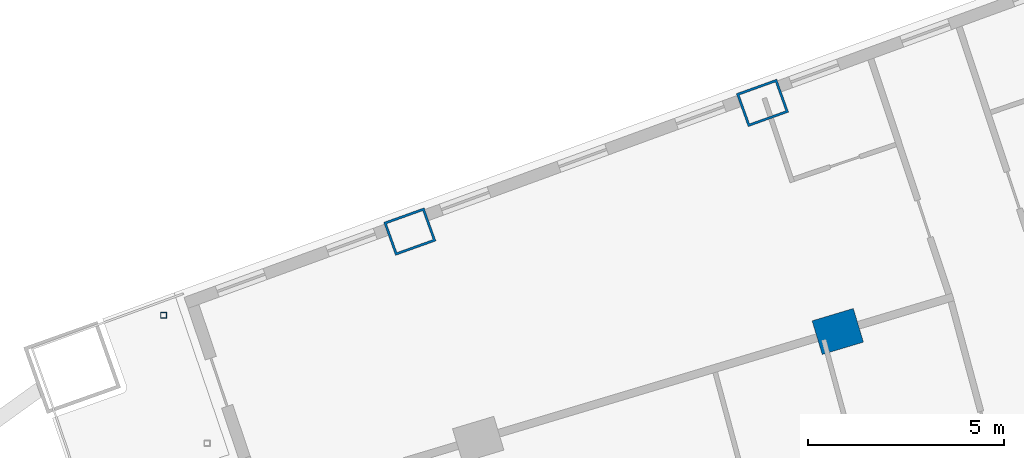
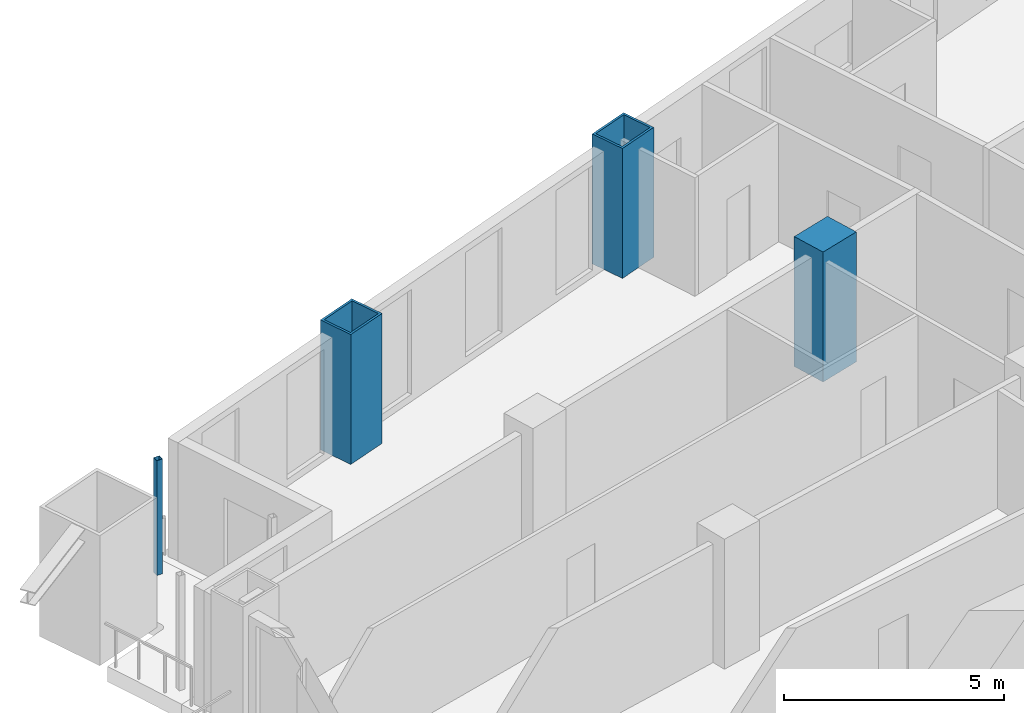
# One storey, part 9 of 25: 4 columns.
"""IFC4 building model written with IfcOpenShell, lengths in metres."""

import ifcopenshell
import ifcopenshell.guid

model = None  # the IFC model being written
_history = None  # IfcOwnerHistory: only IFC2X3 demands one
_inside = {}  # id of a spatial element -> (the spatial element, [elements in it])
_under = {}  # id of a project, library or spatial element -> (it, [spatial elements below it])
_declared = {}  # id of a project -> (the project, [libraries it declares])
_typed = {}  # id of a type object -> (the type object, [elements of that type])
_made_of = {}  # id of a material, layer set ... -> (it, [elements and type objects made of it])


def new_model(schema):
    """Start an empty IFC model of exactly this schema.

    Asked for "IFC4X3", IfcOpenShell would pick the latest addendum, in which some entities
    have other attributes; the version numbers below select the first issue.
    IFC2X3 requires an IfcOwnerHistory on every rooted entity: one is made here for all.
    """
    global model, _history
    if schema == "IFC4X3":
        model = ifcopenshell.file(schema_version=(4, 3, 0, 0))
    else:
        model = ifcopenshell.file(schema=schema)
    _inside.clear()
    _under.clear()
    _declared.clear()
    _typed.clear()
    _made_of.clear()
    _history = None
    if model.schema == "IFC2X3":
        org = make("IfcOrganization", Name="unknown")
        user = make(
            "IfcPersonAndOrganization",
            ThePerson=make("IfcPerson", FamilyName="unknown"),
            TheOrganization=org,
        )
        app = make(
            "IfcApplication",
            ApplicationDeveloper=org,
            Version="unknown",
            ApplicationFullName="unknown",
            ApplicationIdentifier="unknown",
        )
        _history = make(
            "IfcOwnerHistory",
            OwningUser=user,
            OwningApplication=app,
            ChangeAction="ADDED",
            CreationDate=0,
        )
    return model


def make(cls, **values):
    """One entity of the class cls with the attributes given. An attribute that is None is left unset."""
    return model.create_entity(
        cls, **{name: value for name, value in values.items() if value is not None}
    )


def rooted(cls, **values):
    """An entity with a GlobalId (a new one), such as an element, a storey or a relation."""
    return make(cls, GlobalId=ifcopenshell.guid.new(), OwnerHistory=_history, **values)


def si_unit(unit_type, name, prefix=None):
    """IfcSIUnit, for example si_unit("LENGTHUNIT", "METRE", prefix="MILLI")."""
    return make("IfcSIUnit", UnitType=unit_type, Prefix=prefix, Name=name)


def assignment(units):
    """IfcUnitAssignment: the units of a project."""
    return None if units is None else make("IfcUnitAssignment", Units=units)


def point(xyz):
    """IfcCartesianPoint."""
    return None if xyz is None else make("IfcCartesianPoint", Coordinates=xyz)


def direction(xyz):
    """IfcDirection."""
    return None if xyz is None else make("IfcDirection", DirectionRatios=xyz)


def frame(location, z_axis=None, x_axis=None):
    """IfcAxis2Placement3D, a coordinate frame: its origin and axes. An axis left out is left unset."""
    return make(
        "IfcAxis2Placement3D",
        Location=point(location),
        Axis=direction(z_axis),
        RefDirection=direction(x_axis),
    )


def frame_2d(location, x_axis=None):
    """IfcAxis2Placement2D, a coordinate frame in the plane: its origin and x axis."""
    return make(
        "IfcAxis2Placement2D", Location=point(location), RefDirection=direction(x_axis)
    )


def origin():
    """The frame at (0, 0, 0) with its axes left unset."""
    return frame((0.0, 0.0, 0.0))


def origin_2d():
    """The frame at (0, 0) in the plane with its x axis left unset."""
    return frame_2d((0.0, 0.0))


def place(relative_to, where):
    """IfcLocalPlacement: puts the frame where relative to a parent placement (None: the world)."""
    return make(
        "IfcLocalPlacement", PlacementRelTo=relative_to, RelativePlacement=where
    )


def context(
    kind, dimensions, precision=None, world=None, true_north=None, identifier=None
):
    """IfcGeometricRepresentationContext, for example the 3D "Model" context."""
    return make(
        "IfcGeometricRepresentationContext",
        ContextIdentifier=identifier,
        ContextType=kind,
        CoordinateSpaceDimension=dimensions,
        Precision=precision,
        WorldCoordinateSystem=world,
        TrueNorth=true_north,
    )


def subcontext(parent, identifier, kind, view, scale=None):
    """IfcGeometricRepresentationSubContext, for example "Body" below "Model"."""
    return make(
        "IfcGeometricRepresentationSubContext",
        ContextIdentifier=identifier,
        ContextType=kind,
        ParentContext=parent,
        TargetScale=scale,
        TargetView=view,
    )


def project(units=None, contexts=None):
    """IfcProject with its units and contexts."""
    return rooted(
        "IfcProject",
        Name="project",
        RepresentationContexts=contexts,
        UnitsInContext=assignment(units),
    )


def spatial(cls, under=None, at=None, **own):
    """A site, building, storey or space (cls), placed at a placement, below another one or the project."""
    s = rooted(cls, ObjectPlacement=at, **own)
    if under is not None:
        _under.setdefault(under.id(), (under, []))[1].append(s)
    return s


def profile(cls, at=None, kind="AREA", **sizes):
    """A parametric profile (cls). Its sizes go by their IFC names, for example OverallWidth=200.0."""
    return make(cls, ProfileType=kind, Position=at, **sizes)


def rectangle(**sizes):
    """IfcRectangleProfileDef."""
    return profile("IfcRectangleProfileDef", **sizes)


def hollow_rectangle(**sizes):
    """IfcRectangleHollowProfileDef."""
    return profile("IfcRectangleHollowProfileDef", **sizes)


def extrude(swept, where, along, depth):
    """IfcExtrudedAreaSolid: the profile swept, set in the frame where, extruded along a direction by depth."""
    return make(
        "IfcExtrudedAreaSolid",
        SweptArea=swept,
        Position=where,
        ExtrudedDirection=direction(along),
        Depth=depth,
    )


def shape(context_of_items, identifier, shape_type, items):
    """IfcShapeRepresentation: the items that make up one representation, for example the "Body"."""
    return make(
        "IfcShapeRepresentation",
        ContextOfItems=context_of_items,
        RepresentationIdentifier=identifier,
        RepresentationType=shape_type,
        Items=items,
    )


def material(Name=None, Category=None):
    """IfcMaterial."""
    return make("IfcMaterial", Name=Name, Category=Category)


def material_profile(
    of_material, cross_section, Name=None, Category=None, Priority=None
):
    """IfcMaterialProfile: a cross section and its material."""
    return make(
        "IfcMaterialProfile",
        Name=Name,
        Material=of_material,
        Profile=cross_section,
        Priority=Priority,
        Category=Category,
    )


def profile_set(profiles, Name=None, composite=None):
    """IfcMaterialProfileSet."""
    return make(
        "IfcMaterialProfileSet",
        Name=Name,
        MaterialProfiles=profiles,
        CompositeProfile=composite,
    )


def made_of(thing, what):
    """Note that an element or type object is made of a material, layer set ...; save() writes the relation."""
    if what is not None:
        _made_of.setdefault(what.id(), (what, []))[1].append(thing)
    return thing


def type_object(cls, material=None, **own):
    """A type object (cls), such as IfcWallType, which elements share."""
    return made_of(rooted(cls, **own), material)


def element(
    cls,
    number,
    at=None,
    inside=None,
    cuts=None,
    type_object=None,
    material=None,
    context=None,
    identifier="Body",
    shape_type=None,
    held_by="IfcProductDefinitionShape",
    body=None,
    shapes=None,
    **own,
):
    """One element of the class cls, such as IfcWall. Its Tag is "e" and its number.

    at: its placement. inside: the storey or other place that contains it. cuts: it is an
    opening in that element (IfcRelVoidsElement). A single representation is given by context,
    identifier, shape_type and body (its items); several are given by shapes. held_by: the class
    of the entity that holds the representations. save() writes the other relations.
    """
    e = rooted(cls, Tag="e%d" % number, ObjectPlacement=at, **own)
    if body is not None:
        shapes = [shape(context, identifier, shape_type, body)]
    if shapes is not None:
        e.Representation = make(held_by, Representations=shapes)
    if inside is not None:
        _inside.setdefault(inside.id(), (inside, []))[1].append(e)
    if cuts is not None:
        rooted(
            "IfcRelVoidsElement", RelatingBuildingElement=cuts, RelatedOpeningElement=e
        )
    if type_object is not None:
        _typed.setdefault(type_object.id(), (type_object, []))[1].append(e)
    return made_of(e, material)


def aggregate(whole, parts):
    """IfcRelAggregates: a whole, such as a stair, and the parts it consists of."""
    return rooted("IfcRelAggregates", RelatingObject=whole, RelatedObjects=parts)


def save(model, path):
    """Write the relations noted so far, then the file.

    IfcRelAggregates (storeys below a building ...), IfcRelContainedInSpatialStructure (elements
    in a storey), IfcRelDefinesByType, IfcRelAssociatesMaterial and IfcRelDeclares: one each for
    every whole, place, type object, material and project.
    """
    for whole, parts in _under.values():
        aggregate(whole, parts)
    for where, things in _inside.values():
        rooted(
            "IfcRelContainedInSpatialStructure",
            RelatedElements=things,
            RelatingStructure=where,
        )
    for kind, things in _typed.values():
        rooted("IfcRelDefinesByType", RelatedObjects=things, RelatingType=kind)
    for what, things in _made_of.values():
        rooted("IfcRelAssociatesMaterial", RelatedObjects=things, RelatingMaterial=what)
    for by, libraries in _declared.values():
        rooted("IfcRelDeclares", RelatingContext=by, RelatedDefinitions=libraries)
    model.write(path)


model = new_model("IFC4")

# Units and contexts
model_context = context("Model", 3, precision=1e-05, world=origin(), true_north=direction((0.0, 1.0)))
body_context = subcontext(model_context, "Body", "Model", "MODEL_VIEW")
ifc_project = project(units=[si_unit("LENGTHUNIT", "METRE"), si_unit("AREAUNIT", "SQUARE_METRE"), si_unit("VOLUMEUNIT", "CUBIC_METRE"), si_unit("PLANEANGLEUNIT", "RADIAN"), si_unit("MASSUNIT", "GRAM", prefix="KILO")], contexts=[model_context])

# Site, building, storey
site_placement = place(None, origin())
site = spatial("IfcSite", under=ifc_project, at=site_placement, CompositionType="ELEMENT")
building_placement = place(site_placement, origin())
building = spatial("IfcBuilding", under=site, at=building_placement, Name="Alderwake Tower", CompositionType="ELEMENT")
storey_placement = place(building_placement, frame((0.0, 0.0, 46.39990234375)))
storey = spatial("IfcBuildingStorey", under=building, at=storey_placement, Name="L10", CompositionType="ELEMENT", Elevation=46.39990234375)

# Columns
ifc_material_1 = material(Name="Steel ASTM A572 Grade 50 concrete filled C70/85", Category="concrete")
ifc_material_profile_1 = material_profile(ifc_material_1, hollow_rectangle(XDim=0.89990234375, YDim=1.10009765625, WallThickness=0.06005859375, at=origin_2d()), Name="BOX 1100X900X60")
ifc_profile_set_1 = profile_set([ifc_material_profile_1], Name="Steel ASTM A572 Grade 50 concrete filled C70/85")
column_type_1 = type_object("IfcColumnType", Name="End column Z1", PredefinedType="COLUMN", material=ifc_profile_set_1)
for number, where, z_axis, x_axis, name in (
    (1, (19.965576171875, 96.8515625, 0.0), (0.0, 0.0, 1.0), (-0.337584879279, 0.9412950915, 0.0), "Column R13-C1"),
    (2, (28.983642578125, 100.143310546875, 0.0), (0.0, 0.0, 1.0), (-0.338026774049, 0.941136493834, 0.0), "Column R13-C2"),
):
    element("IfcColumn", number, at=place(storey_placement, frame(where, z_axis=z_axis, x_axis=x_axis)), inside=storey, type_object=column_type_1, Name=name, PredefinedType="COLUMN", context=body_context, shape_type="SweptSolid", body=[
        extrude(hollow_rectangle(XDim=0.89990234375, YDim=1.10009765625, WallThickness=0.06005859375, at=origin_2d()), origin(), (0.0, 0.0, 1.0), 3.60009765625),
    ])
ifc_material_2 = material(Name="Concrete C70/85", Category="concrete")
ifc_material_profile_2 = material_profile(ifc_material_2, rectangle(XDim=0.89990234375, YDim=1.10009765625, at=origin_2d()), Name="RC 1100X900")
ifc_profile_set_2 = profile_set([ifc_material_profile_2], Name="Concrete C70/85")
column_type_2 = type_object("IfcColumnType", Name="Interior column Z1", PredefinedType="COLUMN", material=ifc_profile_set_2)
column_1_placement = place(storey_placement, frame((30.9091796875, 94.298095703125, 0.0), z_axis=(0.0, 0.0, 1.0), x_axis=(-0.287549418125, 0.957765802342, 0.0)))
element("IfcColumn", 3, at=column_1_placement, inside=storey, type_object=column_type_2, Name="Column R12-C2", PredefinedType="COLUMN", context=body_context, shape_type="SweptSolid", body=[
    extrude(rectangle(XDim=0.89990234375, YDim=1.10009765625, at=origin_2d()), origin(), (0.0, 0.0, 1.0), 3.60009765625),
])
ifc_material_3 = material(Name="Steel ASTM A500 Grade C", Category="steel")
ifc_material_profile_3 = material_profile(ifc_material_3, hollow_rectangle(XDim=0.15234375, YDim=0.15234375, WallThickness=0.0087890625, at=origin_2d()), Name="HSS6X6X3/8")
ifc_profile_set_3 = profile_set([ifc_material_profile_3], Name="Steel ASTM A500 Grade C")
column_type_3 = type_object("IfcColumnType", Name="Light post HSS6X6X3/8", PredefinedType="COLUMN", material=ifc_profile_set_3)
column_2_placement = place(storey_placement, frame((13.66796875, 94.71240234375, 0.0), z_axis=(0.0, 0.0, 1.0), x_axis=(1.0, 0.0, 0.0)))
element("IfcColumn", 4, at=column_2_placement, inside=storey, type_object=column_type_3, Name="Terrace post RN2", PredefinedType="COLUMN", context=body_context, shape_type="SweptSolid", body=[
    extrude(hollow_rectangle(XDim=0.15234375, YDim=0.15234375, WallThickness=0.0087890625, at=origin_2d()), origin(), (0.0, 0.0, 1.0), 3.18017578125),
])

save(model, "model.ifc")
